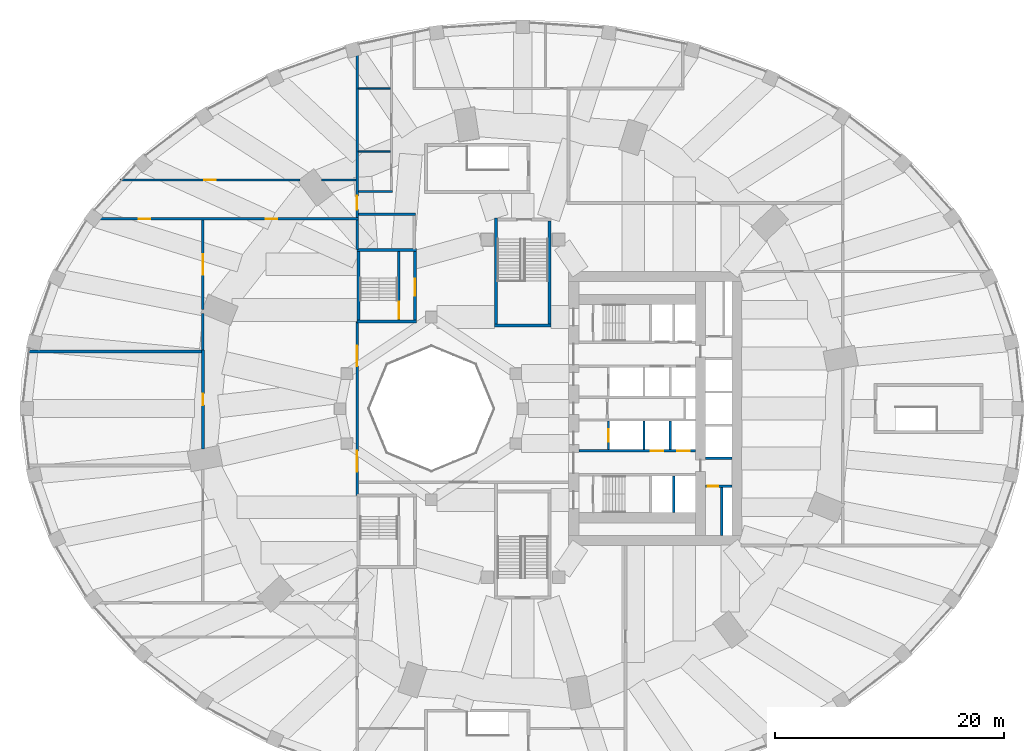
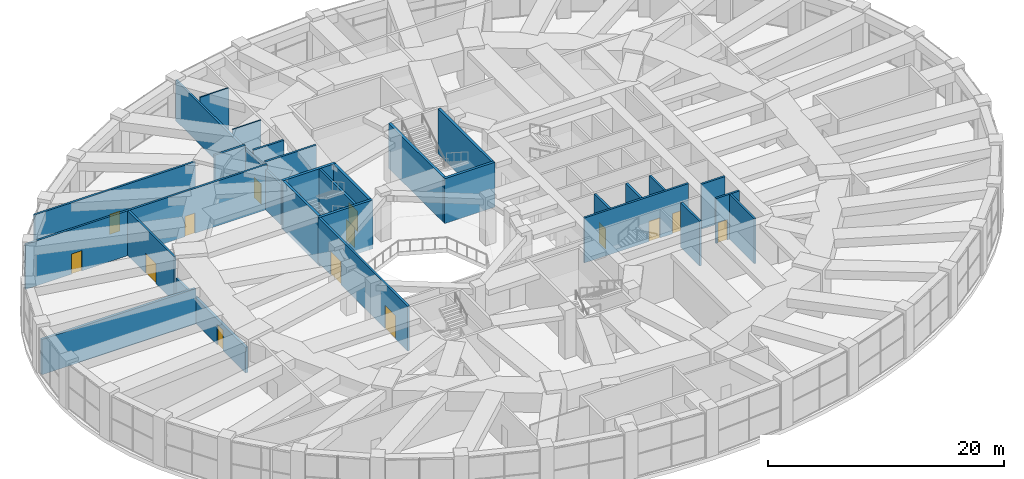
# One storey, part 22 of 30: 30 walls, 14 doors, 14 openings.
"""IFC4 building model written with IfcOpenShell, lengths in metres."""

from ifc_helpers import new_model, si_unit, direction, frame, frame_2d, origin, place, context, subcontext, project, spatial, rectangle, extrude, material, layer, layer_set, type_object, element, fill, save


model = new_model("IFC4")

# Units and contexts
model_context = context("Model", 3, precision=1e-05, world=origin(), true_north=direction((0.0, 1.0)))
body_context = subcontext(model_context, "Body", "Model", "MODEL_VIEW")
ifc_project = project(units=[si_unit("LENGTHUNIT", "METRE"), si_unit("AREAUNIT", "SQUARE_METRE"), si_unit("VOLUMEUNIT", "CUBIC_METRE"), si_unit("PLANEANGLEUNIT", "RADIAN"), si_unit("MASSUNIT", "GRAM", prefix="KILO")], contexts=[model_context])

# Site, building, storey
site_placement = place(None, origin())
site = spatial("IfcSite", under=ifc_project, at=site_placement, CompositionType="ELEMENT")
building_placement = place(site_placement, origin())
building = spatial("IfcBuilding", under=site, at=building_placement, Name="Taillehof Tower", CompositionType="ELEMENT")
storey_placement = place(building_placement, frame((0.0, 0.0, 12.5)))
storey = spatial("IfcBuildingStorey", under=building, at=storey_placement, Name="L02", CompositionType="ELEMENT", Elevation=12.5)

# Wall, openings, doors
ifc_material_1 = material(Name="Calcium silicate blockwork", Category="masonry")
ifc_layer_1 = layer(ifc_material_1, 0.199951171875)
ifc_layer_set_1 = layer_set([ifc_layer_1], Name="Compartment wall EI 60 200 mm")
wall_type_1 = type_object("IfcWallType", Name="Compartment wall EI 60 200 mm", PredefinedType="PARTITIONING", material=ifc_layer_set_1)
wall_1_placement = place(storey_placement, frame((-38.08447265625, 16.60009765625, 0.0), z_axis=(0.0, 0.0, 1.0), x_axis=(1.0, 0.0, 0.0)))
wall_1 = element("IfcWall", 1, at=wall_1_placement, inside=storey, type_object=wall_type_1, Name="Wall L02-19 / L02-22", PredefinedType="PARTITIONING", context=body_context, shape_type="SweptSolid", body=[
    extrude(rectangle(XDim=23.6845703125, YDim=0.199951171875, at=frame_2d((11.84228515625, 0.0))), origin(), (0.0, 0.0, 1.0), 4.64990234375),
])
opening_1_placement = place(wall_1_placement, frame((4.492431640625, 0.0, 0.0)))
opening_1 = element("IfcOpeningElement", 2, at=opening_1_placement, cuts=wall_1, Name="Opening D0264", PredefinedType="OPENING", context=body_context, shape_type="SweptSolid", body=[
    extrude(rectangle(XDim=1.0, YDim=2.10009765625, at=frame_2d((0.5, 1.050048828125))), frame((0.0, 0.10986328125, 0.0), z_axis=(0.0, -1.0, 0.0), x_axis=(1.0, 0.0, 0.0)), (0.0, 0.0, 1.0), 0.219970703125),
])
opening_2_placement = place(wall_1_placement, frame((15.58447265625, 0.0, 0.0)))
opening_2 = element("IfcOpeningElement", 3, at=opening_2_placement, cuts=wall_1, Name="Opening D0265", PredefinedType="OPENING", context=body_context, shape_type="SweptSolid", body=[
    extrude(rectangle(XDim=1.0, YDim=2.10009765625, at=frame_2d((0.5, 1.050048828125))), frame((0.0, 0.10986328125, 0.0), z_axis=(0.0, -1.0, 0.0), x_axis=(1.0, 0.0, 0.0)), (0.0, 0.0, 1.0), 0.219970703125),
])
ifc_material_2 = material(Name="Hollow metal door set")
door_type_1 = type_object("IfcDoorType", Name="Single door 1000 x 2100 FD60S", OperationType="SINGLE_SWING_LEFT", PredefinedType="DOOR", material=ifc_material_2)
door_1_placement = place(opening_1_placement, origin())
door_1 = element("IfcDoor", 4, at=door_1_placement, inside=storey, type_object=door_type_1, Name="Door D0264", OperationType="SINGLE_SWING_LEFT", OverallHeight=2.10009765625, OverallWidth=1.0, PredefinedType="DOOR", context=body_context, shape_type="SweptSolid", body=[
    extrude(rectangle(XDim=1.0, YDim=2.10009765625, at=frame_2d((0.5, 1.050048828125))), frame((0.0, 0.02490234375, 0.0), z_axis=(0.0, -1.0, 0.0), x_axis=(1.0, 0.0, 0.0)), (0.0, 0.0, 1.0), 0.050048828125),
])
fill(opening_1, door_1)
door_2_placement = place(opening_2_placement, origin())
door_2 = element("IfcDoor", 5, at=door_2_placement, inside=storey, type_object=door_type_1, Name="Door D0265", OperationType="SINGLE_SWING_RIGHT", OverallHeight=2.10009765625, OverallWidth=1.0, PredefinedType="DOOR", context=body_context, shape_type="SweptSolid", body=[
    extrude(rectangle(XDim=1.0, YDim=2.10009765625, at=frame_2d((0.5, 1.050048828125))), frame((0.0, 0.02490234375, 0.0), z_axis=(0.0, -1.0, 0.0), x_axis=(1.0, 0.0, 0.0)), (0.0, 0.0, 1.0), 0.050048828125),
])
fill(opening_2, door_2)

# Walls
wall_2_placement = place(storey_placement, frame((-14.39990234375, 17.0, 0.0), z_axis=(0.0, 0.0, 1.0), x_axis=(1.0, 0.0, 0.0)))
element("IfcWall", 6, at=wall_2_placement, inside=storey, type_object=wall_type_1, Name="Wall L02-09 / L02-26", PredefinedType="PARTITIONING", context=body_context, shape_type="SweptSolid", body=[
    extrude(rectangle(XDim=5.0, YDim=0.199951171875, at=frame_2d((2.5, 0.0))), origin(), (0.0, 0.0, 1.0), 4.64990234375),
])
wall_3_placement = place(storey_placement, frame((-14.39990234375, 19.0, 0.0), z_axis=(0.0, 0.0, 1.0), x_axis=(1.0, 0.0, 0.0)))
element("IfcWall", 7, at=wall_3_placement, inside=storey, type_object=wall_type_1, Name="Wall L02-06 / L02-26", PredefinedType="PARTITIONING", context=body_context, shape_type="SweptSolid", body=[
    extrude(rectangle(XDim=3.0, YDim=0.199951171875, at=frame_2d((1.5, 0.0))), origin(), (0.0, 0.0, 1.0), 4.64990234375),
])

# Wall, opening, door
wall_4_placement = place(storey_placement, frame((-35.2314453125, 20.0, 0.0), z_axis=(0.0, 0.0, 1.0), x_axis=(1.0, 0.0, 0.0)))
wall_4 = element("IfcWall", 8, at=wall_4_placement, inside=storey, type_object=wall_type_1, Name="Wall L02-22 / L02-24", PredefinedType="PARTITIONING", context=body_context, shape_type="SweptSolid", body=[
    extrude(rectangle(XDim=15.7177734375, YDim=0.199951171875, at=frame_2d((7.85888671875, 0.0))), origin(), (0.0, 0.0, 1.0), 4.64990234375),
])
opening_3_placement = place(wall_4_placement, frame((7.3583984375, 0.0, 0.0)))
opening_3 = element("IfcOpeningElement", 9, at=opening_3_placement, cuts=wall_4, Name="Opening D0268", PredefinedType="OPENING", context=body_context, shape_type="SweptSolid", body=[
    extrude(rectangle(XDim=1.0, YDim=2.10009765625, at=frame_2d((0.5, 1.050048828125))), frame((0.0, 0.10986328125, 0.0), z_axis=(0.0, -1.0, 0.0), x_axis=(1.0, 0.0, 0.0)), (0.0, 0.0, 1.0), 0.219970703125),
])
door_3_placement = place(opening_3_placement, origin())
door_3 = element("IfcDoor", 10, at=door_3_placement, inside=storey, type_object=door_type_1, Name="Door D0268", OperationType="SINGLE_SWING_LEFT", OverallHeight=2.10009765625, OverallWidth=1.0, PredefinedType="DOOR", context=body_context, shape_type="SweptSolid", body=[
    extrude(rectangle(XDim=1.0, YDim=2.10009765625, at=frame_2d((0.5, 1.050048828125))), frame((0.0, 0.02490234375, 0.0), z_axis=(0.0, -1.0, 0.0), x_axis=(1.0, 0.0, 0.0)), (0.0, 0.0, 1.0), 0.050048828125),
])
fill(opening_3, door_3)

# Walls
wall_5_placement = place(storey_placement, frame((-17.604736328125, 20.0, 0.0), z_axis=(0.0, 0.0, 1.0), x_axis=(1.0, 0.0, 0.0)))
element("IfcWall", 11, at=wall_5_placement, inside=storey, type_object=wall_type_1, Name="Wall L02-22 / L02-24", PredefinedType="PARTITIONING", context=body_context, shape_type="SweptSolid", body=[
    extrude(rectangle(XDim=3.004638671875, YDim=0.199951171875, at=frame_2d((1.50244140625, 0.0))), origin(), (0.0, 0.0, 1.0), 4.64990234375),
])
wall_6_placement = place(storey_placement, frame((-28.0, 5.125, 0.0), z_axis=(0.0, 0.0, 1.0), x_axis=(0.0, 1.0, 0.0)))
element("IfcWall", 12, at=wall_6_placement, inside=storey, type_object=wall_type_1, Name="Wall L02-19 / L02-21", PredefinedType="PARTITIONING", context=body_context, shape_type="SweptSolid", body=[
    extrude(rectangle(XDim=3.172607421875, YDim=0.199951171875, at=frame_2d((1.58642578125, 0.0))), origin(), (0.0, 0.0, 1.0), 2.64990234375),
])

# Wall, opening, door
wall_7_placement = place(storey_placement, frame((-28.0, 8.677001953125, 0.0), z_axis=(0.0, 0.0, 1.0), x_axis=(0.0, 1.0, 0.0)))
wall_7 = element("IfcWall", 13, at=wall_7_placement, inside=storey, type_object=wall_type_1, Name="Wall L02-19 / L02-21", PredefinedType="PARTITIONING", context=body_context, shape_type="SweptSolid", body=[
    extrude(rectangle(XDim=7.822998046875, YDim=0.199951171875, at=frame_2d((3.91162109375, 0.0))), origin(), (0.0, 0.0, 1.0), 4.64990234375),
])
opening_4_placement = place(wall_7_placement, frame((3.011962890625, 0.0, 0.0)))
opening_4 = element("IfcOpeningElement", 14, at=opening_4_placement, cuts=wall_7, Name="Opening D0261", PredefinedType="OPENING", context=body_context, shape_type="SweptSolid", body=[
    extrude(rectangle(XDim=1.800048828125, YDim=2.10009765625, at=frame_2d((0.89990234375, 1.050048828125))), frame((0.0, 0.10986328125, 0.0), z_axis=(0.0, -1.0, 0.0), x_axis=(1.0, 0.0, 0.0)), (0.0, 0.0, 1.0), 0.219970703125),
])
ifc_material_3 = material(Name="Hollow metal door set")
door_type_2 = type_object("IfcDoorType", Name="Double door 1800 x 2100 FD60S", OperationType="DOUBLE_DOOR_SINGLE_SWING", PredefinedType="DOOR", material=ifc_material_3)
door_4_placement = place(opening_4_placement, origin())
door_4 = element("IfcDoor", 15, at=door_4_placement, inside=storey, type_object=door_type_2, Name="Door D0261", OperationType="DOUBLE_DOOR_SINGLE_SWING", OverallHeight=2.10009765625, OverallWidth=1.800048828125, PredefinedType="DOOR", context=body_context, shape_type="SweptSolid", body=[
    extrude(rectangle(XDim=1.800048828125, YDim=2.10009765625, at=frame_2d((0.89990234375, 1.050048828125))), frame((0.0, 0.02490234375, 0.0), z_axis=(0.0, -1.0, 0.0), x_axis=(1.0, 0.0, 0.0)), (0.0, 0.0, 1.0), 0.050048828125),
])
fill(opening_4, door_4)

# Wall, openings, doors
wall_8_placement = place(storey_placement, frame((-14.5, -7.60009765625, 0.0), z_axis=(0.0, 0.0, 1.0), x_axis=(0.0, 1.0, 0.0)))
wall_8 = element("IfcWall", 16, at=wall_8_placement, inside=storey, type_object=wall_type_1, Name="Wall L02-21 / L02-28", PredefinedType="PARTITIONING", context=body_context, shape_type="SweptSolid", body=[
    extrude(rectangle(XDim=15.2001953125, YDim=0.199951171875, at=frame_2d((7.60009765625, 0.0))), origin(), (0.0, 0.0, 1.0), 4.64990234375),
])
opening_5_placement = place(wall_8_placement, frame((2.0869140625, 0.0, 0.0)))
opening_5 = element("IfcOpeningElement", 17, at=opening_5_placement, cuts=wall_8, Name="Opening D0255", PredefinedType="OPENING", context=body_context, shape_type="SweptSolid", body=[
    extrude(rectangle(XDim=1.800048828125, YDim=2.39990234375, at=frame_2d((0.89990234375, 1.199951171875))), frame((0.0, 0.10986328125, 0.0), z_axis=(0.0, -1.0, 0.0), x_axis=(1.0, 0.0, 0.0)), (0.0, 0.0, 1.0), 0.219970703125),
])
opening_6_placement = place(wall_8_placement, frame((11.31201171875, 0.0, 0.0)))
opening_6 = element("IfcOpeningElement", 18, at=opening_6_placement, cuts=wall_8, Name="Opening D0259", PredefinedType="OPENING", context=body_context, shape_type="SweptSolid", body=[
    extrude(rectangle(XDim=1.800048828125, YDim=2.39990234375, at=frame_2d((0.89990234375, 1.199951171875))), frame((0.0, 0.10986328125, 0.0), z_axis=(0.0, -1.0, 0.0), x_axis=(1.0, 0.0, 0.0)), (0.0, 0.0, 1.0), 0.219970703125),
])
ifc_material_4 = material(Name="Glazed aluminium door set", Category="aluminium")
door_type_3 = type_object("IfcDoorType", Name="Glazed double door 1800 x 2400 FD60S", OperationType="DOUBLE_DOOR_SINGLE_SWING", PredefinedType="DOOR", material=ifc_material_4)
door_5_placement = place(opening_5_placement, origin())
door_5 = element("IfcDoor", 19, at=door_5_placement, inside=storey, type_object=door_type_3, Name="Door D0255", OperationType="DOUBLE_DOOR_SINGLE_SWING", OverallHeight=2.39990234375, OverallWidth=1.800048828125, PredefinedType="DOOR", context=body_context, shape_type="SweptSolid", body=[
    extrude(rectangle(XDim=1.800048828125, YDim=2.39990234375, at=frame_2d((0.89990234375, 1.199951171875))), frame((0.0, 0.02490234375, 0.0), z_axis=(0.0, -1.0, 0.0), x_axis=(1.0, 0.0, 0.0)), (0.0, 0.0, 1.0), 0.050048828125),
])
fill(opening_5, door_5)
door_6_placement = place(opening_6_placement, origin())
door_6 = element("IfcDoor", 20, at=door_6_placement, inside=storey, type_object=door_type_3, Name="Door D0259", OperationType="DOUBLE_DOOR_SINGLE_SWING", OverallHeight=2.39990234375, OverallWidth=1.800048828125, PredefinedType="DOOR", context=body_context, shape_type="SweptSolid", body=[
    extrude(rectangle(XDim=1.800048828125, YDim=2.39990234375, at=frame_2d((0.89990234375, 1.199951171875))), frame((0.0, 0.02490234375, 0.0), z_axis=(0.0, -1.0, 0.0), x_axis=(1.0, 0.0, 0.0)), (0.0, 0.0, 1.0), 0.050048828125),
])
fill(opening_6, door_6)

# Wall
wall_9_placement = place(storey_placement, frame((-14.5, 13.89990234375, 0.0), z_axis=(0.0, 0.0, 1.0), x_axis=(0.0, 1.0, 0.0)))
element("IfcWall", 21, at=wall_9_placement, inside=storey, type_object=wall_type_1, Name="Wall L02-09 / L02-21", PredefinedType="PARTITIONING", context=body_context, shape_type="SweptSolid", body=[
    extrude(rectangle(XDim=2.60009765625, YDim=0.199951171875, at=frame_2d((1.300048828125, 0.0))), origin(), (0.0, 0.0, 1.0), 4.199951171875),
])

# Wall, opening, door
wall_10_placement = place(storey_placement, frame((-14.5, 16.699951171875, 0.0), z_axis=(0.0, 0.0, 1.0), x_axis=(0.0, 1.0, 0.0)))
wall_10 = element("IfcWall", 22, at=wall_10_placement, inside=storey, type_object=wall_type_1, Name="Wall L02-09 / L02-22", PredefinedType="PARTITIONING", context=body_context, shape_type="SweptSolid", body=[
    extrude(rectangle(XDim=15.10302734375, YDim=0.199951171875, at=frame_2d((7.551513671875, 0.0))), origin(), (0.0, 0.0, 1.0), 4.199951171875),
])
opening_7_placement = place(wall_10_placement, frame((0.699951171875, 0.0, 0.0)))
opening_7 = element("IfcOpeningElement", 23, at=opening_7_placement, cuts=wall_10, Name="Opening D0266", PredefinedType="OPENING", context=body_context, shape_type="SweptSolid", body=[
    extrude(rectangle(XDim=1.199951171875, YDim=2.10009765625, at=frame_2d((0.60009765625, 1.050048828125))), frame((0.0, 0.10986328125, 0.0), z_axis=(0.0, -1.0, 0.0), x_axis=(1.0, 0.0, 0.0)), (0.0, 0.0, 1.0), 0.219970703125),
])
ifc_material_5 = material(Name="Hollow metal door set")
door_type_4 = type_object("IfcDoorType", Name="Single door 1200 x 2100 FD60S", OperationType="SINGLE_SWING_LEFT", PredefinedType="DOOR", material=ifc_material_5)
door_7_placement = place(opening_7_placement, origin())
door_7 = element("IfcDoor", 24, at=door_7_placement, inside=storey, type_object=door_type_4, Name="Door D0266", OperationType="SINGLE_SWING_LEFT", OverallHeight=2.10009765625, OverallWidth=1.199951171875, PredefinedType="DOOR", context=body_context, shape_type="SweptSolid", body=[
    extrude(rectangle(XDim=1.199951171875, YDim=2.10009765625, at=frame_2d((0.60009765625, 1.050048828125))), frame((0.0, 0.02490234375, 0.0), z_axis=(0.0, -1.0, 0.0), x_axis=(1.0, 0.0, 0.0)), (0.0, 0.0, 1.0), 0.050048828125),
])
fill(opening_7, door_7)

ifc_material_6 = material(Name="Calcium silicate masonry", Category="masonry")
ifc_layer_2 = layer(ifc_material_6, 0.199951171875)
ifc_layer_set_2 = layer_set([ifc_layer_2], Name="Compartment wall calcium silicate 200")
wall_type_2 = type_object("IfcWallType", Name="Compartment wall calcium silicate 200", PredefinedType="PARTITIONING", material=ifc_layer_set_2)
wall_11_placement = place(storey_placement, frame((16.0, -6.800048828125, 0.0), z_axis=(0.0, 0.0, 1.0), x_axis=(1.0, 0.0, 0.0)))
wall_11 = element("IfcWall", 25, at=wall_11_placement, inside=storey, type_object=wall_type_2, Name="Compartment wall FW", PredefinedType="PARTITIONING", context=body_context, shape_type="SweptSolid", body=[
    extrude(rectangle(XDim=2.300048828125, YDim=0.199951171875, at=frame_2d((1.14990234375, 0.0))), origin(), (0.0, 0.0, 1.0), 4.64990234375),
])
opening_8_placement = place(wall_11_placement, frame((0.199951171875, 0.0, 0.0)))
opening_8 = element("IfcOpeningElement", 26, at=opening_8_placement, cuts=wall_11, Name="Opening D0216", PredefinedType="OPENING", context=body_context, shape_type="SweptSolid", body=[
    extrude(rectangle(XDim=0.89990234375, YDim=2.10009765625, at=frame_2d((0.449951171875, 1.050048828125))), frame((0.0, 0.10986328125, 0.0), z_axis=(0.0, -1.0, 0.0), x_axis=(1.0, 0.0, 0.0)), (0.0, 0.0, 1.0), 0.219970703125),
])
ifc_material_7 = material(Name="Steel-faced fire door", Category="steel")
door_type_5 = type_object("IfcDoorType", Name="Riser and service room door 900x2100", OperationType="SINGLE_SWING_LEFT", PredefinedType="DOOR", material=ifc_material_7)
door_8_placement = place(opening_8_placement, origin())
door_8 = element("IfcDoor", 27, at=door_8_placement, inside=storey, type_object=door_type_5, Name="Door Linen Store", OperationType="SINGLE_SWING_LEFT", OverallHeight=2.10009765625, OverallWidth=0.89990234375, PredefinedType="DOOR", context=body_context, shape_type="SweptSolid", body=[
    extrude(rectangle(XDim=0.89990234375, YDim=2.10009765625, at=frame_2d((0.449951171875, 1.050048828125))), frame((0.0, 0.02490234375, 0.0), z_axis=(0.0, -1.0, 0.0), x_axis=(1.0, 0.0, 0.0)), (0.0, 0.0, 1.0), 0.050048828125),
])
fill(opening_8, door_8)

# Walls
wall_12_placement = place(storey_placement, frame((17.39990234375, -11.10009765625, 0.0), z_axis=(0.0, 0.0, 1.0), x_axis=(0.0, 1.0, 0.0)))
element("IfcWall", 28, at=wall_12_placement, inside=storey, type_object=wall_type_2, Name="Compartment wall FW", PredefinedType="PARTITIONING", context=body_context, shape_type="SweptSolid", body=[
    extrude(rectangle(XDim=4.2001953125, YDim=0.199951171875, at=frame_2d((2.10009765625, 0.0))), origin(), (0.0, 0.0, 1.0), 4.64990234375),
])
ifc_material_8 = material(Name="Calcium silicate blockwork", Category="masonry")
ifc_layer_3 = layer(ifc_material_8, 0.25)
ifc_layer_set_3 = layer_set([ifc_layer_3], Name="Fire-resisting wall EI 120 250 mm")
wall_type_3 = type_object("IfcWallType", Name="Fire-resisting wall EI 120 250 mm", PredefinedType="PARTITIONING", material=ifc_layer_set_3)
wall_13_placement = place(storey_placement, frame((-43.205078125, 5.0, 0.0), z_axis=(0.0, 0.0, 1.0), x_axis=(1.0, 0.0, 0.0)))
element("IfcWall", 29, at=wall_13_placement, inside=storey, type_object=wall_type_3, Name="Wall L02-19 / L02-20", PredefinedType="PARTITIONING", context=body_context, shape_type="SweptSolid", body=[
    extrude(rectangle(XDim=15.080078125, YDim=0.25, at=frame_2d((7.5400390625, 0.0))), origin(), (0.0, 0.0, 1.0), 3.64990234375),
])

# Wall, opening, door
wall_14_placement = place(storey_placement, frame((-28.0, -3.529296875, 0.0), z_axis=(0.0, 0.0, 1.0), x_axis=(0.0, 1.0, 0.0)))
wall_14 = element("IfcWall", 30, at=wall_14_placement, inside=storey, type_object=wall_type_3, Name="Wall L02-20 / L02-21", PredefinedType="PARTITIONING", context=body_context, shape_type="SweptSolid", body=[
    extrude(rectangle(XDim=8.654296875, YDim=0.25, at=frame_2d((4.3271484375, 0.0))), origin(), (0.0, 0.0, 1.0), 2.64990234375),
])
opening_9_placement = place(wall_14_placement, frame((3.8271484375, 0.0, 0.0)))
opening_9 = element("IfcOpeningElement", 31, at=opening_9_placement, cuts=wall_14, Name="Opening D0258", PredefinedType="OPENING", context=body_context, shape_type="SweptSolid", body=[
    extrude(rectangle(XDim=1.0, YDim=2.10009765625, at=frame_2d((0.5, 1.050048828125))), frame((0.0, 0.135009765625, 0.0), z_axis=(0.0, -1.0, 0.0), x_axis=(1.0, 0.0, 0.0)), (0.0, 0.0, 1.0), 0.27001953125),
])
ifc_material_9 = material(Name="Hollow metal door set")
door_type_6 = type_object("IfcDoorType", Name="Single door 1000 x 2100 FD120S", OperationType="SINGLE_SWING_LEFT", PredefinedType="DOOR", material=ifc_material_9)
door_9_placement = place(opening_9_placement, origin())
door_9 = element("IfcDoor", 32, at=door_9_placement, inside=storey, type_object=door_type_6, Name="Door D0258", OperationType="SINGLE_SWING_RIGHT", OverallHeight=2.10009765625, OverallWidth=1.0, PredefinedType="DOOR", context=body_context, shape_type="SweptSolid", body=[
    extrude(rectangle(XDim=1.0, YDim=2.10009765625, at=frame_2d((0.5, 1.050048828125))), frame((0.0, 0.02490234375, 0.0), z_axis=(0.0, -1.0, 0.0), x_axis=(1.0, 0.0, 0.0)), (0.0, 0.0, 1.0), 0.050048828125),
])
fill(opening_9, door_9)

# Walls
ifc_material_10 = material(Name="Gypsum board partition on steel studs", Category="steel")
ifc_layer_4 = layer(ifc_material_10, 0.125)
ifc_layer_set_4 = layer_set([ifc_layer_4], Name="Partition wall EI 30 125 mm")
wall_type_4 = type_object("IfcWallType", Name="Partition wall EI 30 125 mm", PredefinedType="PARTITIONING", material=ifc_layer_set_4)
for number, where, z_axis, x_axis, name in (
    (33, (-14.39990234375, 22.5, 0.0), (0.0, 0.0, 1.0), (1.0, 0.0, 0.0), "Wall L02-06 / L02-07"),
    (34, (-14.39990234375, 28.0, 0.0), (0.0, 0.0, 1.0), (1.0, 0.0, 0.0), "Wall L02-07 / L02-08"),
):
    element("IfcWall", number, at=place(storey_placement, frame(where, z_axis=z_axis, x_axis=x_axis)), inside=storey, type_object=wall_type_4, Name=name, PredefinedType="PARTITIONING", context=body_context, shape_type="SweptSolid", body=[
        extrude(rectangle(XDim=2.7998046875, YDim=0.125, at=frame_2d((1.39990234375, 0.0))), origin(), (0.0, 0.0, 1.0), 4.64990234375),
    ])

# Wall, openings, doors
ifc_material_11 = material(Name="Concrete C50/60", Category="concrete")
ifc_layer_5 = layer(ifc_material_11, 0.199951171875)
ifc_layer_set_5 = layer_set([ifc_layer_5], Name="Shaft wall C50/60 200")
wall_type_5 = type_object("IfcWallType", Name="Shaft wall C50/60 200", PredefinedType="SHEAR", material=ifc_layer_set_5)
wall_15_placement = place(storey_placement, frame((4.89990234375, -3.699951171875, 0.0), z_axis=(0.0, 0.0, 1.0), x_axis=(1.0, 0.0, 0.0)))
wall_15 = element("IfcWall", 35, at=wall_15_placement, inside=storey, type_object=wall_type_5, Name="Shaft wall SW", PredefinedType="SHEAR", context=body_context, shape_type="SweptSolid", body=[
    extrude(rectangle(XDim=10.2001953125, YDim=0.199951171875, at=frame_2d((5.10009765625, 0.0))), origin(), (0.0, 0.0, 1.0), 4.64990234375),
])
opening_10_placement = place(wall_15_placement, frame((6.300048828125, 0.0, 0.0)))
opening_10 = element("IfcOpeningElement", 36, at=opening_10_placement, cuts=wall_15, Name="Opening LD1", PredefinedType="OPENING", context=body_context, shape_type="SweptSolid", body=[
    extrude(rectangle(XDim=1.10009765625, YDim=2.10009765625, at=frame_2d((0.550048828125, 1.050048828125))), frame((0.0, 0.10986328125, 0.0), z_axis=(0.0, -1.0, 0.0), x_axis=(1.0, 0.0, 0.0)), (0.0, 0.0, 1.0), 0.219970703125),
])
opening_11_placement = place(wall_15_placement, frame((8.60009765625, 0.0, 0.0)))
opening_11 = element("IfcOpeningElement", 37, at=opening_11_placement, cuts=wall_15, Name="Opening LD1", PredefinedType="OPENING", context=body_context, shape_type="SweptSolid", body=[
    extrude(rectangle(XDim=1.10009765625, YDim=2.10009765625, at=frame_2d((0.550048828125, 1.050048828125))), frame((0.0, 0.10986328125, 0.0), z_axis=(0.0, -1.0, 0.0), x_axis=(1.0, 0.0, 0.0)), (0.0, 0.0, 1.0), 0.219970703125),
])
ifc_material_12 = material(Name="Stainless steel", Category="steel")
door_type_7 = type_object("IfcDoorType", Name="Lift landing door LD1 1100x2100", OperationType="DOUBLE_DOOR_SLIDING", PredefinedType="DOOR", material=ifc_material_12)
door_10_placement = place(opening_10_placement, origin())
door_10 = element("IfcDoor", 38, at=door_10_placement, inside=storey, type_object=door_type_7, Name="Landing door LR5", OperationType="DOUBLE_DOOR_SLIDING", OverallHeight=2.10009765625, OverallWidth=1.10009765625, PredefinedType="DOOR", context=body_context, shape_type="SweptSolid", body=[
    extrude(rectangle(XDim=1.10009765625, YDim=2.10009765625, at=frame_2d((0.550048828125, 1.050048828125))), frame((0.0, 0.02490234375, 0.0), z_axis=(0.0, -1.0, 0.0), x_axis=(1.0, 0.0, 0.0)), (0.0, 0.0, 1.0), 0.050048828125),
])
fill(opening_10, door_10)
door_11_placement = place(opening_11_placement, origin())
door_11 = element("IfcDoor", 39, at=door_11_placement, inside=storey, type_object=door_type_7, Name="Landing door LR6", OperationType="DOUBLE_DOOR_SLIDING", OverallHeight=2.10009765625, OverallWidth=1.10009765625, PredefinedType="DOOR", context=body_context, shape_type="SweptSolid", body=[
    extrude(rectangle(XDim=1.10009765625, YDim=2.10009765625, at=frame_2d((0.550048828125, 1.050048828125))), frame((0.0, 0.02490234375, 0.0), z_axis=(0.0, -1.0, 0.0), x_axis=(1.0, 0.0, 0.0)), (0.0, 0.0, 1.0), 0.050048828125),
])
fill(opening_11, door_11)

# Wall
wall_16_placement = place(storey_placement, frame((13.199951171875, -9.10009765625, 0.0), z_axis=(0.0, 0.0, 1.0), x_axis=(0.0, 1.0, 0.0)))
element("IfcWall", 40, at=wall_16_placement, inside=storey, type_object=wall_type_5, Name="Shaft wall SW", PredefinedType="SHEAR", context=body_context, shape_type="SweptSolid", body=[
    extrude(rectangle(XDim=3.2001953125, YDim=0.199951171875, at=frame_2d((1.60009765625, 0.0))), origin(), (0.0, 0.0, 1.0), 4.64990234375),
])

# Wall, opening, door
wall_17_placement = place(storey_placement, frame((7.5, -3.60009765625, 0.0), z_axis=(0.0, 0.0, 1.0), x_axis=(0.0, 1.0, 0.0)))
wall_17 = element("IfcWall", 41, at=wall_17_placement, inside=storey, type_object=wall_type_5, Name="Shaft wall SW", PredefinedType="SHEAR", context=body_context, shape_type="SweptSolid", body=[
    extrude(rectangle(XDim=2.5, YDim=0.199951171875, at=frame_2d((1.25, 0.0))), origin(), (0.0, 0.0, 1.0), 4.64990234375),
])
opening_12_placement = place(wall_17_placement, frame((0.699951171875, 0.0, 0.0)))
opening_12 = element("IfcOpeningElement", 42, at=opening_12_placement, cuts=wall_17, Name="Opening LD1", PredefinedType="OPENING", context=body_context, shape_type="SweptSolid", body=[
    extrude(rectangle(XDim=1.10009765625, YDim=2.10009765625, at=frame_2d((0.550048828125, 1.050048828125))), frame((0.0, 0.10986328125, 0.0), z_axis=(0.0, -1.0, 0.0), x_axis=(1.0, 0.0, 0.0)), (0.0, 0.0, 1.0), 0.219970703125),
])
door_12_placement = place(opening_12_placement, origin())
door_12 = element("IfcDoor", 43, at=door_12_placement, inside=storey, type_object=door_type_7, Name="Landing door FF2", OperationType="DOUBLE_DOOR_SLIDING", OverallHeight=2.10009765625, OverallWidth=1.10009765625, PredefinedType="DOOR", context=body_context, shape_type="SweptSolid", body=[
    extrude(rectangle(XDim=1.10009765625, YDim=2.10009765625, at=frame_2d((0.550048828125, 1.050048828125))), frame((0.0, 0.02490234375, 0.0), z_axis=(0.0, -1.0, 0.0), x_axis=(1.0, 0.0, 0.0)), (0.0, 0.0, 1.0), 0.050048828125),
])
fill(opening_12, door_12)

# Walls
for number, where, z_axis, x_axis, name in (
    (44, (10.60009765625, -3.60009765625, 0.0), (0.0, 0.0, 1.0), (0.0, 1.0, 0.0), "Shaft wall SW"),
    (45, (12.89990234375, -3.60009765625, 0.0), (0.0, 0.0, 1.0), (0.0, 1.0, 0.0), "Shaft wall SW"),
):
    element("IfcWall", number, at=place(storey_placement, frame(where, z_axis=z_axis, x_axis=x_axis)), inside=storey, type_object=wall_type_5, Name=name, PredefinedType="SHEAR", context=body_context, shape_type="SweptSolid", body=[
        extrude(rectangle(XDim=2.5, YDim=0.199951171875, at=frame_2d((1.25, 0.0))), origin(), (0.0, 0.0, 1.0), 4.64990234375),
    ])

# Wall, opening, door
wall_18_placement = place(storey_placement, frame((-10.85009765625, 7.75, 0.0), z_axis=(0.0, 0.0, 1.0), x_axis=(0.0, 1.0, 0.0)))
wall_18 = element("IfcWall", 46, at=wall_18_placement, inside=storey, type_object=wall_type_5, Name="Shaft wall SW", PredefinedType="SHEAR", context=body_context, shape_type="SweptSolid", body=[
    extrude(rectangle(XDim=6.0, YDim=0.199951171875, at=frame_2d((3.0, 0.0))), origin(), (0.0, 0.0, 1.0), 4.64990234375),
])
opening_13_placement = place(wall_18_placement, frame((0.10009765625, 0.0, 0.0)))
opening_13 = element("IfcOpeningElement", 47, at=opening_13_placement, cuts=wall_18, Name="Opening D0210", PredefinedType="OPENING", context=body_context, shape_type="SweptSolid", body=[
    extrude(rectangle(XDim=1.5, YDim=2.10009765625, at=frame_2d((0.75, 1.050048828125))), frame((0.0, 0.10986328125, 0.0), z_axis=(0.0, -1.0, 0.0), x_axis=(1.0, 0.0, 0.0)), (0.0, 0.0, 1.0), 0.219970703125),
])
ifc_material_13 = material(Name="Steel-faced fire door", Category="steel")
door_type_8 = type_object("IfcDoorType", Name="Stair door 1500x2100", OperationType="DOUBLE_DOOR_SINGLE_SWING", PredefinedType="DOOR", material=ifc_material_13)
door_13_placement = place(opening_13_placement, origin())
door_13 = element("IfcDoor", 48, at=door_13_placement, inside=storey, type_object=door_type_8, Name="Stair lobby door S3", OperationType="DOUBLE_DOOR_SINGLE_SWING", OverallHeight=2.10009765625, OverallWidth=1.5, PredefinedType="DOOR", context=body_context, shape_type="SweptSolid", body=[
    extrude(rectangle(XDim=1.5, YDim=2.10009765625, at=frame_2d((0.75, 1.050048828125))), frame((0.0, 0.02490234375, 0.0), z_axis=(0.0, -1.0, 0.0), x_axis=(1.0, 0.0, 0.0)), (0.0, 0.0, 1.0), 0.050048828125),
])
fill(opening_13, door_13)

# Walls
wall_19_placement = place(storey_placement, frame((16.0, -4.35009765625, 0.0), z_axis=(0.0, 0.0, 1.0), x_axis=(1.0, 0.0, 0.0)))
element("IfcWall", 49, at=wall_19_placement, inside=storey, type_object=wall_type_5, Name="Shaft wall SW", PredefinedType="SHEAR", context=body_context, shape_type="SweptSolid", body=[
    extrude(rectangle(XDim=2.300048828125, YDim=0.199951171875, at=frame_2d((1.14990234375, 0.0))), origin(), (0.0, 0.0, 1.0), 4.64990234375),
])
ifc_material_14 = material(Name="Concrete C50/60", Category="concrete")
ifc_layer_6 = layer(ifc_material_14, 0.25)
ifc_layer_set_6 = layer_set([ifc_layer_6], Name="Stair wall C50/60 250")
wall_type_6 = type_object("IfcWallType", Name="Stair wall C50/60 250", PredefinedType="SHEAR", material=ifc_layer_set_6)
wall_20_placement = place(storey_placement, frame((-14.375, 7.75, -0.409912109375), z_axis=(0.0, 0.0, 1.0), x_axis=(0.0, 1.0, 0.0)))
element("IfcWall", 50, at=wall_20_placement, inside=storey, type_object=wall_type_6, Name="Stair wall SC", PredefinedType="SHEAR", context=body_context, shape_type="SweptSolid", body=[
    extrude(rectangle(XDim=6.0, YDim=0.25, at=frame_2d((3.0, 0.0))), origin(), (0.0, 0.0, 1.0), 5.059814453125),
])

# Wall, opening, door
wall_21_placement = place(storey_placement, frame((-9.425048828125, 7.75, -0.409912109375), z_axis=(0.0, 0.0, 1.0), x_axis=(0.0, 1.0, 0.0)))
wall_21 = element("IfcWall", 51, at=wall_21_placement, inside=storey, type_object=wall_type_6, Name="Stair wall SC", PredefinedType="SHEAR", context=body_context, shape_type="SweptSolid", body=[
    extrude(rectangle(XDim=6.0, YDim=0.25, at=frame_2d((3.0, 0.0))), origin(), (0.0, 0.0, 1.0), 5.059814453125),
])
opening_14_placement = place(wall_21_placement, frame((2.10009765625, 0.0, 0.409912109375)))
opening_14 = element("IfcOpeningElement", 52, at=opening_14_placement, cuts=wall_21, Name="Opening D0217", PredefinedType="OPENING", context=body_context, shape_type="SweptSolid", body=[
    extrude(rectangle(XDim=1.5, YDim=2.10009765625, at=frame_2d((0.75, 1.050048828125))), frame((0.0, 0.135009765625, 0.0), z_axis=(0.0, -1.0, 0.0), x_axis=(1.0, 0.0, 0.0)), (0.0, 0.0, 1.0), 0.27001953125),
])
door_14_placement = place(opening_14_placement, origin())
door_14 = element("IfcDoor", 53, at=door_14_placement, inside=storey, type_object=door_type_8, Name="Stair door S3", OperationType="DOUBLE_DOOR_SINGLE_SWING", OverallHeight=2.10009765625, OverallWidth=1.5, PredefinedType="DOOR", context=body_context, shape_type="SweptSolid", body=[
    extrude(rectangle(XDim=1.5, YDim=2.10009765625, at=frame_2d((0.75, 1.050048828125))), frame((0.0, 0.02490234375, 0.0), z_axis=(0.0, -1.0, 0.0), x_axis=(1.0, 0.0, 0.0)), (0.0, 0.0, 1.0), 0.050048828125),
])
fill(opening_14, door_14)

# Walls
for number, where, z_axis, x_axis, name in (
    (54, (-14.5, 13.875, -0.409912109375), (0.0, 0.0, 1.0), (1.0, 0.0, 0.0), "Stair wall SC"),
    (55, (-14.5, 7.625, -0.409912109375), (0.0, 0.0, 1.0), (1.0, 0.0, 0.0), "Stair wall SC"),
):
    element("IfcWall", number, at=place(storey_placement, frame(where, z_axis=z_axis, x_axis=x_axis)), inside=storey, type_object=wall_type_6, Name=name, PredefinedType="SHEAR", context=body_context, shape_type="SweptSolid", body=[
        extrude(rectangle(XDim=5.199951171875, YDim=0.25, at=frame_2d((2.60009765625, 0.0))), origin(), (0.0, 0.0, 1.0), 5.059814453125),
    ])
ifc_material_15 = material(Name="Concrete C40/50", Category="concrete")
ifc_layer_7 = layer(ifc_material_15, 0.25)
ifc_layer_set_7 = layer_set([ifc_layer_7], Name="Stair wall EI 120 250 mm")
wall_type_7 = type_object("IfcWallType", Name="Stair wall EI 120 250 mm", PredefinedType="SOLIDWALL", material=ifc_layer_set_7)
wall_22_placement = place(storey_placement, frame((-2.47509765625, 7.27490234375, 0.0), z_axis=(0.0, 0.0, 1.0), x_axis=(1.0, 0.0, 0.0)))
element("IfcWall", 56, at=wall_22_placement, inside=storey, type_object=wall_type_7, Name="Wall L02-01 / L02-26", PredefinedType="SOLIDWALL", context=body_context, shape_type="SweptSolid", body=[
    extrude(rectangle(XDim=4.9501953125, YDim=0.25, at=frame_2d((2.47509765625, 0.0))), origin(), (0.0, 0.0, 1.0), 4.64990234375),
])
wall_23_placement = place(storey_placement, frame((-2.35009765625, 7.39990234375, 0.0), z_axis=(0.0, 0.0, 1.0), x_axis=(0.0, 1.0, 0.0)))
element("IfcWall", 57, at=wall_23_placement, inside=storey, type_object=wall_type_7, Name="Wall L02-01 / L02-26", PredefinedType="SOLIDWALL", context=body_context, shape_type="SweptSolid", body=[
    extrude(rectangle(XDim=9.27001953125, YDim=0.25, at=frame_2d((4.635009765625, 0.0))), origin(), (0.0, 0.0, 1.0), 4.64990234375),
])
wall_24_placement = place(storey_placement, frame((2.35009765625, 7.39990234375, 0.0), z_axis=(0.0, 0.0, 1.0), x_axis=(0.0, 1.0, 0.0)))
element("IfcWall", 58, at=wall_24_placement, inside=storey, type_object=wall_type_7, Name="Wall L02-01 / L02-26", PredefinedType="SOLIDWALL", context=body_context, shape_type="SweptSolid", body=[
    extrude(rectangle(XDim=9.02001953125, YDim=0.25, at=frame_2d((4.510009765625, 0.0))), origin(), (0.0, 0.0, 1.0), 4.64990234375),
])

save(model, "model.ifc")
